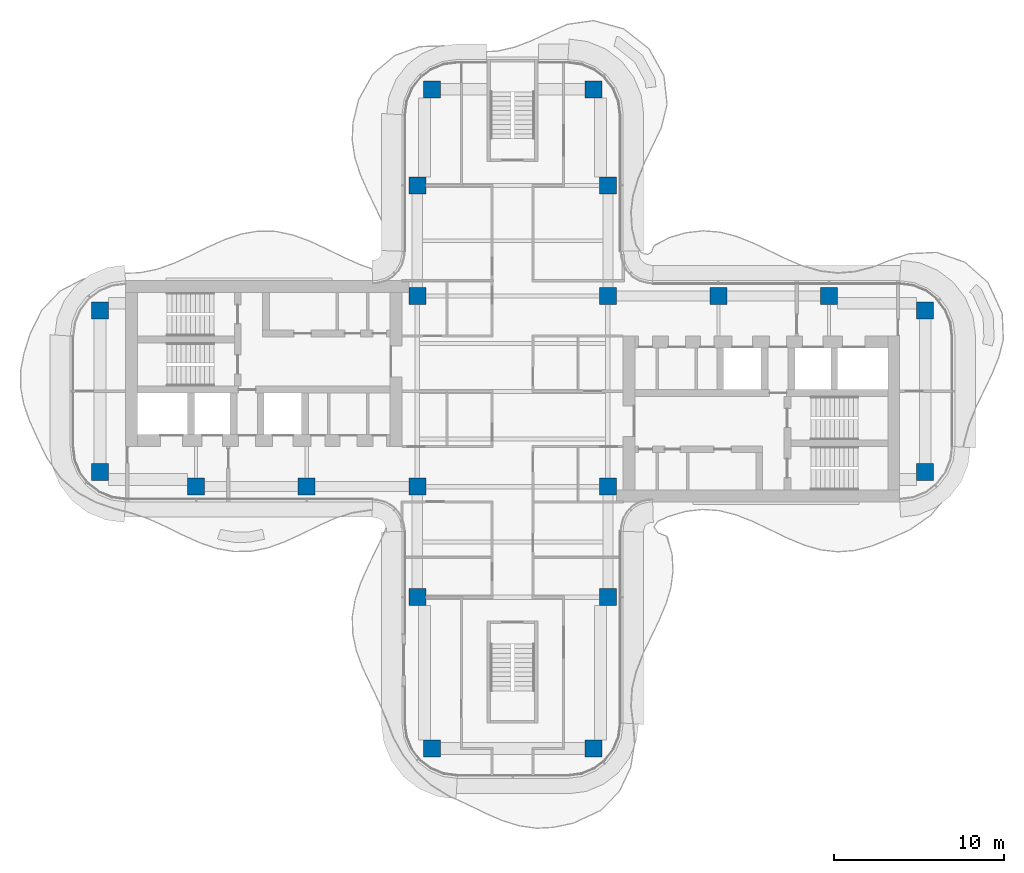
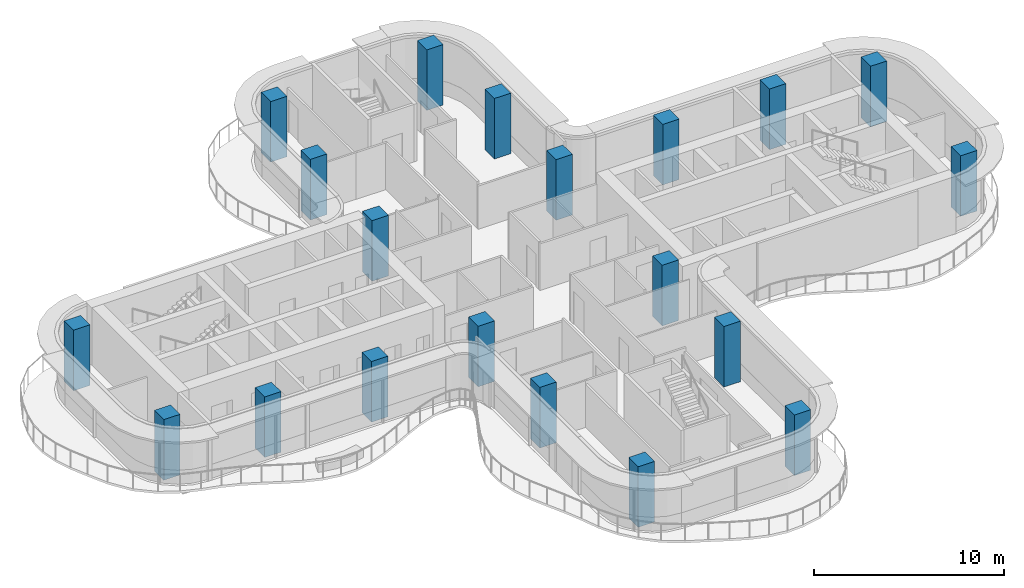
# One storey, part 1 of 16: 20 columns.
"""IFC4 building model written with IfcOpenShell, lengths in metres."""

from ifc_helpers import new_model, si_unit, direction, frame, origin, origin_2d, place, context, subcontext, project, spatial, rectangle, extrude, source, transform, mapped, material, material_profile, profile_set, type_object, element, save


model = new_model("IFC4")

# Units and contexts
model_context = context("Model", 3, precision=1e-05, world=origin(), true_north=direction((0.0, 1.0)))
body_context = subcontext(model_context, "Body", "Model", "MODEL_VIEW")
ifc_project = project(units=[si_unit("LENGTHUNIT", "METRE"), si_unit("AREAUNIT", "SQUARE_METRE"), si_unit("VOLUMEUNIT", "CUBIC_METRE"), si_unit("PLANEANGLEUNIT", "RADIAN"), si_unit("MASSUNIT", "GRAM", prefix="KILO")], contexts=[model_context])

# Site, building, storey
site_placement = place(None, origin())
site = spatial("IfcSite", under=ifc_project, at=site_placement, CompositionType="ELEMENT")
building_placement = place(site_placement, origin())
building = spatial("IfcBuilding", under=site, at=building_placement, Name="Trellis Farm Tower", CompositionType="ELEMENT")
storey_placement = place(building_placement, frame((0.0, 0.0, 310.60009765625)))
storey = spatial("IfcBuildingStorey", under=building, at=storey_placement, Name="L70", CompositionType="ELEMENT", Elevation=310.60009765625)

# Columns
ifc_material = material(Name="Concrete C60/75", Category="concrete")
ifc_material_profile = material_profile(ifc_material, rectangle(XDim=1.0, YDim=1.0, at=origin_2d()), Name="RC column 1000x1000 C60/75")
ifc_profile_set = profile_set([ifc_material_profile], Name="Concrete C60/75")
column_type = type_object("IfcColumnType", Name="RC column 1000x1000 C60/75", PredefinedType="COLUMN", material=ifc_profile_set)
shared_shape = source(origin(), body_context, "Body", "SweptSolid", [
    extrude(rectangle(XDim=1.0, YDim=1.0, at=origin_2d()), origin(), (0.0, 0.0, 1.0), 3.89990234375),
])
for number, where, z_axis, x_axis, name in (
    (1, (12.10009765625, 5.60009765625, 0.0), (0.0, 0.0, 1.0), (1.0, 0.0, 0.0), "Column"),
    (2, (18.60009765625, 5.60009765625, 0.0), (0.0, 0.0, 1.0), (1.0, 0.0, 0.0), "Column"),
    (3, (24.25, 4.75, 0.0), (0.0, 0.0, 1.0), (1.0, 0.0, 0.0), "Column"),
    (4, (24.25, -4.75, 0.0), (0.0, 0.0, 1.0), (1.0, 0.0, 0.0), "Column"),
    (5, (-5.60009765625, 12.10009765625, 0.0), (0.0, 0.0, 1.0), (1.0, 0.0, 0.0), "Column"),
    (6, (-4.75, 17.75, 0.0), (0.0, 0.0, 1.0), (1.0, 0.0, 0.0), "Column"),
    (7, (5.60009765625, 12.10009765625, 0.0), (0.0, 0.0, 1.0), (1.0, 0.0, 0.0), "Column"),
    (8, (4.75, 17.75, 0.0), (0.0, 0.0, 1.0), (1.0, 0.0, 0.0), "Column"),
    (9, (5.60009765625, 5.60009765625, 0.0), (0.0, 0.0, 1.0), (1.0, 0.0, 0.0), "Column"),
    (10, (-5.60009765625, 5.60009765625, 0.0), (0.0, 0.0, 1.0), (1.0, 0.0, 0.0), "Column"),
    (11, (5.60009765625, -5.60009765625, 0.0), (0.0, 0.0, 1.0), (1.0, 0.0, 0.0), "Column"),
    (12, (-5.60009765625, -5.60009765625, 0.0), (0.0, 0.0, 1.0), (1.0, 0.0, 0.0), "Column"),
    (13, (5.60009765625, -12.10009765625, 0.0), (0.0, 0.0, 1.0), (1.0, 0.0, 0.0), "Column"),
    (14, (4.75, -21.0, 0.0), (0.0, 0.0, 1.0), (1.0, 0.0, 0.0), "Column"),
    (15, (-5.60009765625, -12.10009765625, 0.0), (0.0, 0.0, 1.0), (1.0, 0.0, 0.0), "Column"),
    (16, (-4.75, -21.0, 0.0), (0.0, 0.0, 1.0), (1.0, 0.0, 0.0), "Column"),
    (17, (-12.10009765625, -5.60009765625, 0.0), (0.0, 0.0, 1.0), (1.0, 0.0, 0.0), "Column"),
    (18, (-18.60009765625, -5.60009765625, 0.0), (0.0, 0.0, 1.0), (1.0, 0.0, 0.0), "Column"),
    (19, (-24.25, -4.75, 0.0), (0.0, 0.0, 1.0), (1.0, 0.0, 0.0), "Column"),
    (20, (-24.25, 4.75, 0.0), (0.0, 0.0, 1.0), (1.0, 0.0, 0.0), "Column"),
):
    element("IfcColumn", number, at=place(storey_placement, frame(where, z_axis=z_axis, x_axis=x_axis)), inside=storey, type_object=column_type, Name=name, PredefinedType="COLUMN", context=body_context, shape_type="MappedRepresentation", body=[
        mapped(shared_shape, transform((0.0, 0.0, 0.0))),
    ])

save(model, "model.ifc")
